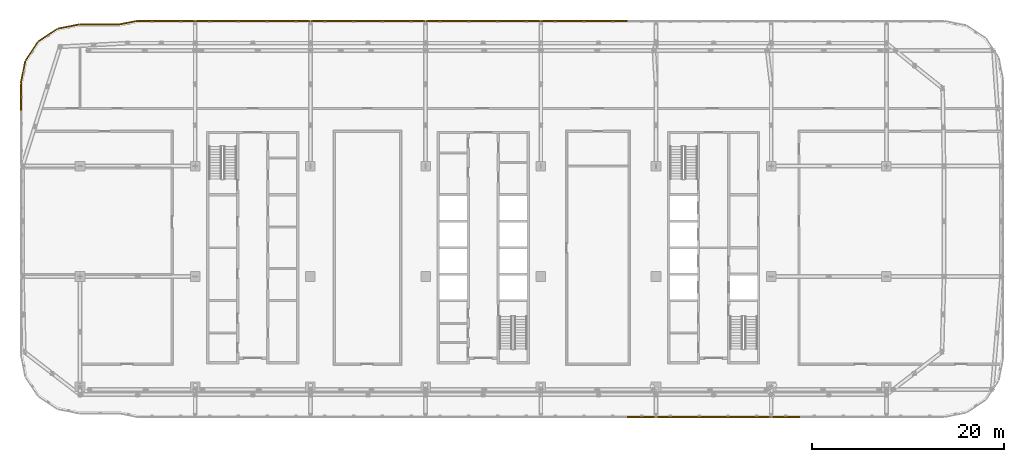
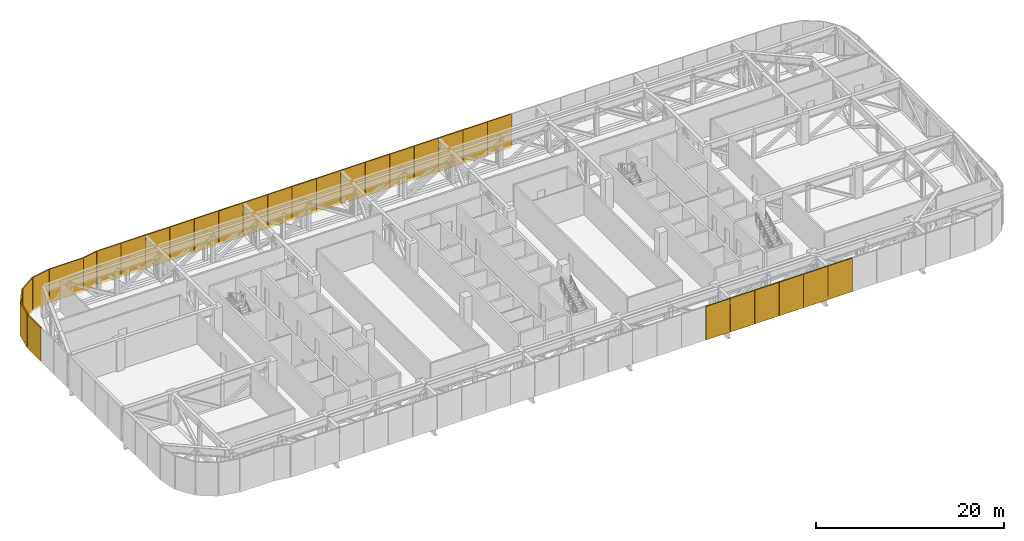
# One storey, part 27 of 29: 30 coverings.
"""IFC4 building model written with IfcOpenShell, lengths in metres."""

from ifc_helpers import new_model, si_unit, direction, frame, origin, origin_2d, place, context, subcontext, project, spatial, rectangle, extrude, material, type_object, element, save


model = new_model("IFC4")

# Units and contexts
model_context = context("Model", 3, precision=1e-05, world=origin(), true_north=direction((0.0, 1.0)))
body_context = subcontext(model_context, "Body", "Model", "MODEL_VIEW")
ifc_project = project(units=[si_unit("LENGTHUNIT", "METRE"), si_unit("AREAUNIT", "SQUARE_METRE"), si_unit("VOLUMEUNIT", "CUBIC_METRE"), si_unit("PLANEANGLEUNIT", "RADIAN"), si_unit("MASSUNIT", "GRAM", prefix="KILO")], contexts=[model_context])

# Site, building, storey
site_placement = place(None, origin())
site = spatial("IfcSite", under=ifc_project, at=site_placement, CompositionType="ELEMENT")
building_placement = place(site_placement, origin())
building = spatial("IfcBuilding", under=site, at=building_placement, Name="Mahtab Terrace Research Tower", CompositionType="ELEMENT")
storey_placement = place(building_placement, frame((0.0, 0.0, 259.0)))
storey = spatial("IfcBuildingStorey", under=building, at=storey_placement, Name="L63", CompositionType="ELEMENT", Elevation=259.0)

# Coverings
ifc_material = material(Name="Natural anodised aluminium", Category="aluminium")
covering_type = type_object("IfcCoveringType", Name="Plant storey louvre bay", PredefinedType="CLADDING", material=ifc_material)
for number, where, z_axis, x_axis, name in (
    (1, (16.5, -14.633056640625, -0.39990234375), (0.0, 0.0, 1.0), (1.0, 0.0, 0.0), "Louvre bay L63 19"),
    (2, (19.5, -14.633056640625, -0.39990234375), (0.0, 0.0, 1.0), (1.0, 0.0, 0.0), "Louvre bay L63 20"),
    (3, (22.5, -14.633056640625, -0.39990234375), (0.0, 0.0, 1.0), (1.0, 0.0, 0.0), "Louvre bay L63 21"),
    (4, (25.5, -14.633056640625, -0.39990234375), (0.0, 0.0, 1.0), (1.0, 0.0, 0.0), "Louvre bay L63 22"),
    (5, (28.5, -14.633056640625, -0.39990234375), (0.0, 0.0, 1.0), (1.0, 0.0, 0.0), "Louvre bay L63 23"),
    (6, (31.5, -14.633056640625, -0.39990234375), (0.0, 0.0, 1.0), (1.0, 0.0, 0.0), "Louvre bay L63 24"),
    (7, (13.5, 26.633056640625, -0.39990234375), (0.0, 0.0, 1.0), (-1.0, 0.0, 0.0), "Louvre bay L63 59"),
    (8, (10.5, 26.633056640625, -0.39990234375), (0.0, 0.0, 1.0), (-1.0, 0.0, 0.0), "Louvre bay L63 60"),
    (9, (7.5, 26.633056640625, -0.39990234375), (0.0, 0.0, 1.0), (-1.0, 0.0, 0.0), "Louvre bay L63 61"),
    (10, (4.5, 26.633056640625, -0.39990234375), (0.0, 0.0, 1.0), (-1.0, 0.0, 0.0), "Louvre bay L63 62"),
    (11, (1.5, 26.633056640625, -0.39990234375), (0.0, 0.0, 1.0), (-1.0, 0.0, 0.0), "Louvre bay L63 63"),
    (12, (-1.5, 26.633056640625, -0.39990234375), (0.0, 0.0, 1.0), (-1.0, 0.0, 0.0), "Louvre bay L63 64"),
    (13, (-4.5, 26.633056640625, -0.39990234375), (0.0, 0.0, 1.0), (-1.0, 0.0, 0.0), "Louvre bay L63 65"),
    (14, (-7.5, 26.633056640625, -0.39990234375), (0.0, 0.0, 1.0), (-1.0, 0.0, 0.0), "Louvre bay L63 66"),
    (15, (-10.5, 26.633056640625, -0.39990234375), (0.0, 0.0, 1.0), (-1.0, 0.0, 0.0), "Louvre bay L63 67"),
    (16, (-13.5, 26.633056640625, -0.39990234375), (0.0, 0.0, 1.0), (-1.0, 0.0, 0.0), "Louvre bay L63 68"),
    (17, (-16.5, 26.633056640625, -0.39990234375), (0.0, 0.0, 1.0), (-1.0, 0.0, 0.0), "Louvre bay L63 69"),
    (18, (-19.5, 26.633056640625, -0.39990234375), (0.0, 0.0, 1.0), (-1.0, 0.0, 0.0), "Louvre bay L63 70"),
    (19, (-22.5, 26.633056640625, -0.39990234375), (0.0, 0.0, 1.0), (-1.0, 0.0, 0.0), "Louvre bay L63 71"),
    (20, (-25.5, 26.633056640625, -0.39990234375), (0.0, 0.0, 1.0), (-1.0, 0.0, 0.0), "Louvre bay L63 72"),
    (21, (-28.5, 26.633056640625, -0.39990234375), (0.0, 0.0, 1.0), (-1.0, 0.0, 0.0), "Louvre bay L63 73"),
    (22, (-31.5, 26.633056640625, -0.39990234375), (0.0, 0.0, 1.0), (-1.0, 0.0, 0.0), "Louvre bay L63 74"),
    (23, (-34.5, 26.633056640625, -0.39990234375), (0.0, 0.0, 1.0), (-1.0, 0.0, 0.0), "Louvre bay L63 75"),
):
    element("IfcCovering", number, at=place(storey_placement, frame(where, z_axis=z_axis, x_axis=x_axis)), inside=storey, type_object=covering_type, Name=name, PredefinedType="CLADDING", context=body_context, shape_type="SweptSolid", body=[
        extrude(rectangle(XDim=2.9599609375, YDim=0.139892578125, at=origin_2d()), origin(), (0.0, 0.0, 1.0), 4.360107421875),
    ])
covering_1_placement = place(storey_placement, frame((-36.938720703125, 26.449462890625, -0.39990234375), z_axis=(0.0, 0.0, 1.0), x_axis=(-0.980787963133, -0.195076834539, 0.0)))
element("IfcCovering", 24, at=covering_1_placement, inside=storey, type_object=covering_type, Name="Louvre bay L63 76", PredefinedType="CLADDING", context=body_context, shape_type="SweptSolid", body=[
    extrude(rectangle(XDim=1.810546875, YDim=0.139892578125, at=origin_2d()), origin(), (0.0, 0.0, 1.0), 4.360107421875),
])
covering_2_placement = place(storey_placement, frame((-39.907470703125, 26.27197265625, -0.39990234375), z_axis=(0.0, 0.0, 1.0), x_axis=(-1.0, 0.0, 0.0)))
element("IfcCovering", 25, at=covering_2_placement, inside=storey, type_object=covering_type, Name="Louvre bay L63 77", PredefinedType="CLADDING", context=body_context, shape_type="SweptSolid", body=[
    extrude(rectangle(XDim=4.14501953125, YDim=0.139892578125, at=origin_2d()), origin(), (0.0, 0.0, 1.0), 4.360107421875),
])
for number, where, z_axis, x_axis, name in (
    (26, (-43.17919921875, 26.04052734375, -0.39990234375), (0.0, 0.0, 1.0), (-0.980760981187, -0.195212442692, 0.0), "Louvre bay L63 78"),
    (27, (-45.3583984375, 25.13818359375, -0.39990234375), (0.0, 0.0, 1.0), (-0.831655794326, -0.555291490808, 0.0), "Louvre bay L63 79"),
    (28, (-47.026123046875, 23.470458984375, -0.39990234375), (0.0, 0.0, 1.0), (-0.555291490808, -0.831655794326, 0.0), "Louvre bay L63 80"),
    (29, (-47.928466796875, 21.291259765625, -0.39990234375), (0.0, 0.0, 1.0), (-0.195212442692, -0.980760981187, 0.0), "Louvre bay L63 81"),
):
    element("IfcCovering", number, at=place(storey_placement, frame(where, z_axis=z_axis, x_axis=x_axis)), inside=storey, type_object=covering_type, Name=name, PredefinedType="CLADDING", context=body_context, shape_type="SweptSolid", body=[
        extrude(rectangle(XDim=2.301025390625, YDim=0.139892578125, at=origin_2d()), origin(), (0.0, 0.0, 1.0), 4.360107421875),
    ])
covering_3_placement = place(storey_placement, frame((-48.159912109375, 18.7080078125, -0.39990234375), z_axis=(0.0, 0.0, 1.0), x_axis=(0.0, -1.0, 0.0)))
element("IfcCovering", 30, at=covering_3_placement, inside=storey, type_object=covering_type, Name="Louvre bay L63 82", PredefinedType="CLADDING", context=body_context, shape_type="SweptSolid", body=[
    extrude(rectangle(XDim=2.76806640625, YDim=0.139892578125, at=origin_2d()), origin(), (0.0, 0.0, 1.0), 4.360107421875),
])

save(model, "model.ifc")
